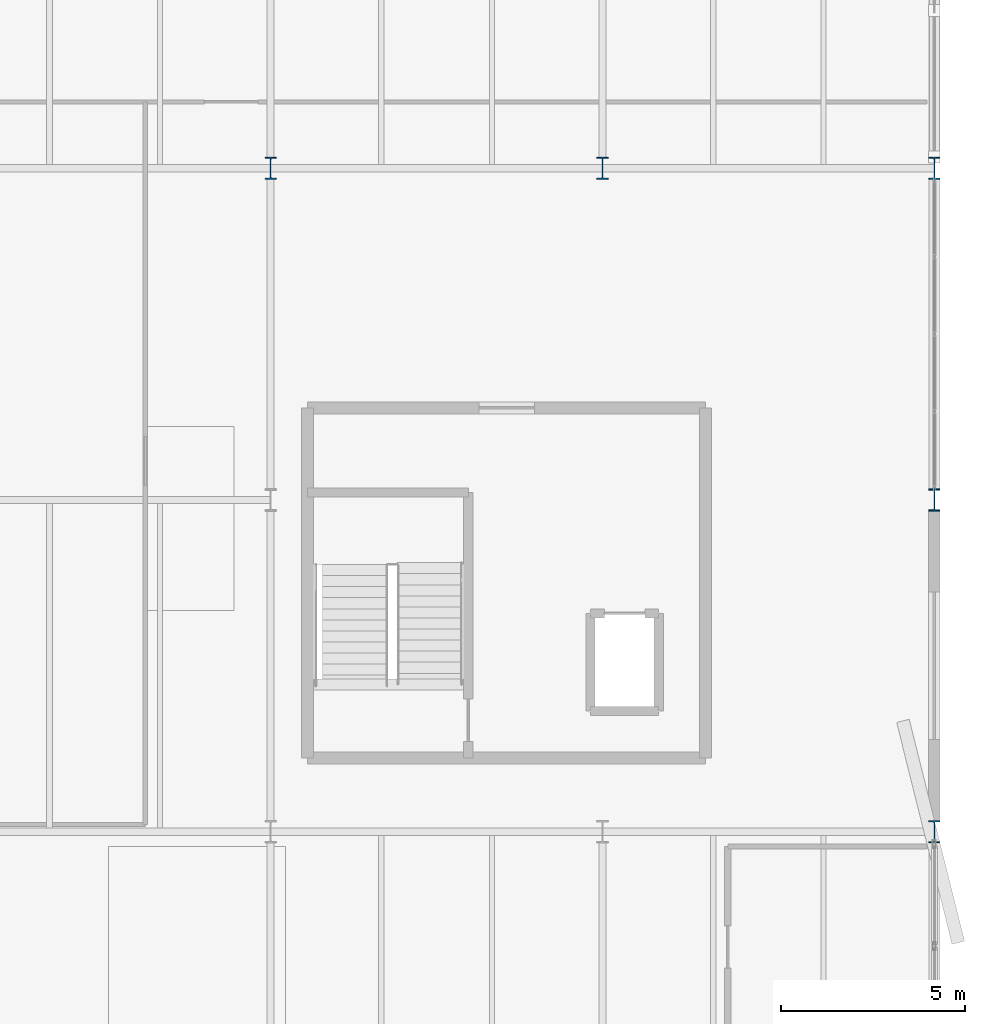
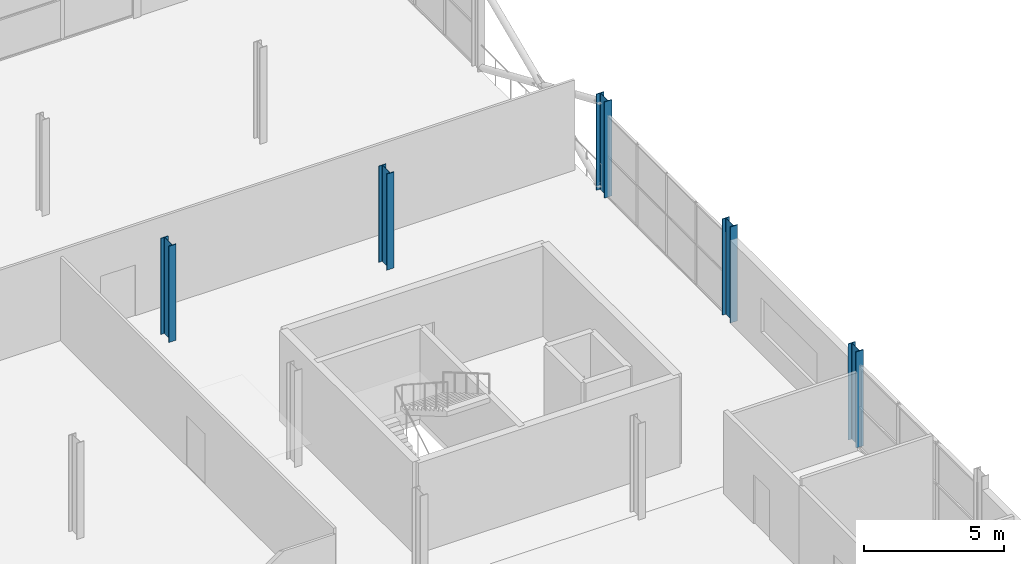
# One storey, part 18 of 135: 5 columns.
"""IFC4 building model written with IfcOpenShell, lengths in metres."""

from ifc_helpers import new_model, si_unit, direction, frame, origin, origin_2d, place, context, subcontext, project, spatial, i_section, extrude, material, material_profile, profile_set, type_object, element, save


model = new_model("IFC4")

# Units and contexts
model_context = context("Model", 3, precision=1e-05, world=origin(), true_north=direction((0.0, 1.0)))
body_context = subcontext(model_context, "Body", "Model", "MODEL_VIEW")
ifc_project = project(units=[si_unit("LENGTHUNIT", "METRE"), si_unit("AREAUNIT", "SQUARE_METRE"), si_unit("VOLUMEUNIT", "CUBIC_METRE"), si_unit("PLANEANGLEUNIT", "RADIAN"), si_unit("MASSUNIT", "GRAM", prefix="KILO")], contexts=[model_context])

# Site, building, storey
site_placement = place(None, origin())
site = spatial("IfcSite", under=ifc_project, at=site_placement, CompositionType="ELEMENT")
building_placement = place(site_placement, origin())
building = spatial("IfcBuilding", under=site, at=building_placement, Name="Deido Ridge Mobility Hub", CompositionType="ELEMENT")
storey_placement = place(building_placement, frame((0.0, 0.0, 4.199951171875)))
storey = spatial("IfcBuildingStorey", under=building, at=storey_placement, Name="L01", CompositionType="ELEMENT", Elevation=4.199951171875)

# Columns
ifc_material = material(Name="Steel S355J2 EN 10025-2", Category="steel")
ifc_material_profile = material_profile(ifc_material, i_section(OverallWidth=0.300048828125, OverallDepth=0.60009765625, WebThickness=0.015380859375, FlangeThickness=0.030029296875, FilletRadius=0.027099609375, at=origin_2d()), Name="HEB 600")
ifc_profile_set = profile_set([ifc_material_profile], Name="Steel S355J2 EN 10025-2")
column_type = type_object("IfcColumnType", Name="COL-HEB600", PredefinedType="COLUMN", material=ifc_profile_set)
for number, where, z_axis, x_axis, name in (
    (1, (180.0, 36.0, 0.0), (0.0, 0.0, 1.0), (1.0, 0.0, 0.0), "Structural column C4"),
    (2, (180.0, 45.0, 0.0), (0.0, 0.0, 1.0), (1.0, 0.0, 0.0), "Structural column C4"),
    (3, (162.0, 54.0, 0.0), (0.0, 0.0, 1.0), (1.0, 0.0, 0.0), "Structural column C4"),
    (4, (171.0, 54.0, 0.0), (0.0, 0.0, 1.0), (1.0, 0.0, 0.0), "Structural column C4"),
    (5, (180.0, 54.0, 0.0), (0.0, 0.0, 1.0), (1.0, 0.0, 0.0), "Structural column C4"),
):
    element("IfcColumn", number, at=place(storey_placement, frame(where, z_axis=z_axis, x_axis=x_axis)), inside=storey, type_object=column_type, Name=name, PredefinedType="COLUMN", context=body_context, shape_type="SweptSolid", body=[
        extrude(i_section(OverallWidth=0.300048828125, OverallDepth=0.60009765625, WebThickness=0.015380859375, FlangeThickness=0.030029296875, FilletRadius=0.027099609375, at=origin_2d()), origin(), (0.0, 0.0, 1.0), 4.199951171875),
    ])

save(model, "model.ifc")
